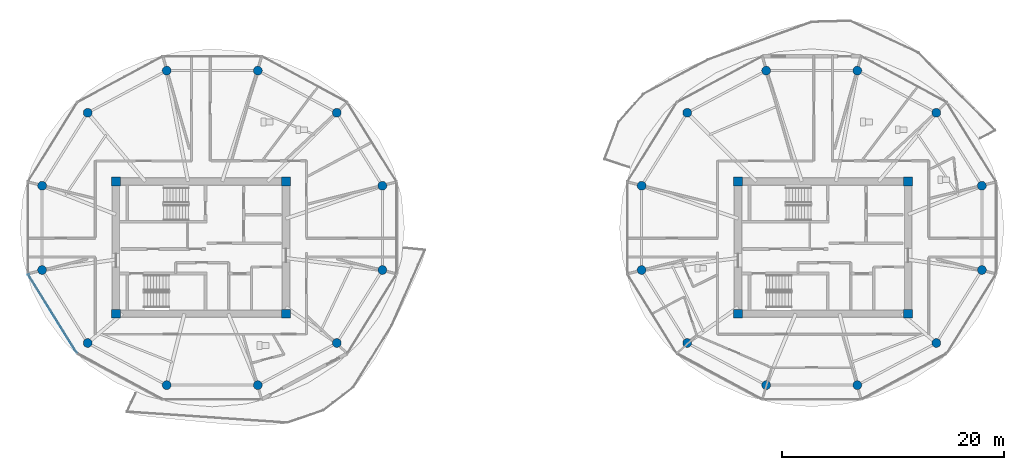
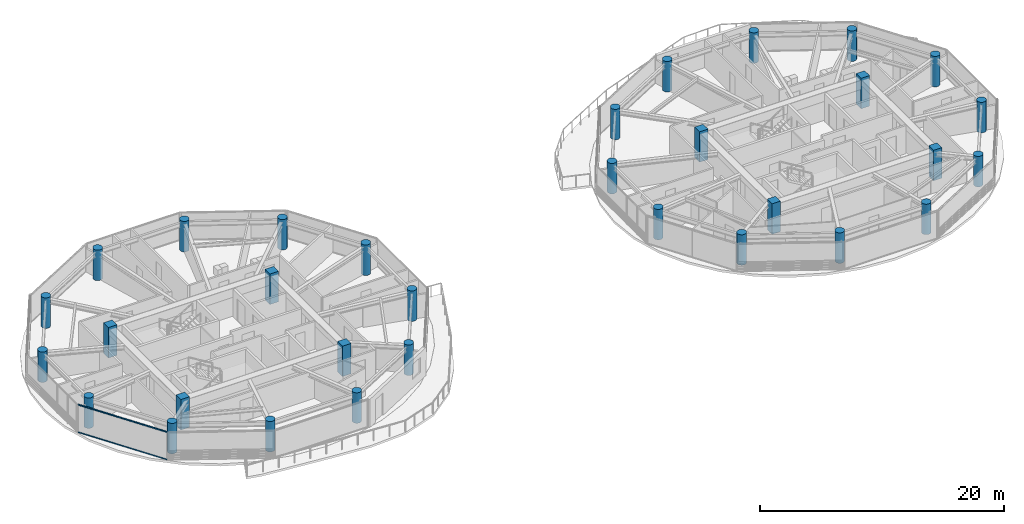
# One storey, part 1 of 23: 32 columns, 2 members, 1 element without a shape of its own.
"""IFC4 building model written with IfcOpenShell, lengths in metres."""

from ifc_helpers import new_model, si_unit, direction, frame, origin, origin_2d, place, context, subcontext, project, spatial, rectangle, circle, extrude, source, transform, mapped, material, layer, layer_set, material_profile, profile_set, type_object, type_shapes, element, aggregate, save


model = new_model("IFC4")

# Units and contexts
model_context = context("Model", 3, precision=1e-05, world=origin(), true_north=direction((0.0, 1.0)))
body_context = subcontext(model_context, "Body", "Model", "MODEL_VIEW")
ifc_project = project(units=[si_unit("LENGTHUNIT", "METRE"), si_unit("AREAUNIT", "SQUARE_METRE"), si_unit("VOLUMEUNIT", "CUBIC_METRE"), si_unit("PLANEANGLEUNIT", "RADIAN"), si_unit("MASSUNIT", "GRAM", prefix="KILO")], contexts=[model_context])

# Site, building, storey
site_placement = place(None, origin())
site = spatial("IfcSite", under=ifc_project, at=site_placement, CompositionType="ELEMENT")
building_placement = place(site_placement, origin())
building = spatial("IfcBuilding", under=site, at=building_placement, Name="Norrkilde Senior Care Towers", CompositionType="ELEMENT")
storey_placement = place(building_placement, frame((0.0, 0.0, 177.0)))
storey = spatial("IfcBuildingStorey", under=building, at=storey_placement, Name="L55", CompositionType="ELEMENT", Elevation=177.0)

# Columns
ifc_material_1 = material(Name="Concrete C60/75", Category="concrete")
ifc_material_profile_1 = material_profile(ifc_material_1, rectangle(XDim=0.800048828125, YDim=0.800048828125, at=origin_2d()), Name="RC COL 800x800")
ifc_profile_set_1 = profile_set([ifc_material_profile_1], Name="Concrete C60/75")
column_type_1 = type_object("IfcColumnType", Name="Column Core Corner Z3-Z4 800", PredefinedType="COLUMN", material=ifc_profile_set_1)
shared_shape_1 = source(origin(), body_context, "Body", "SweptSolid", [
    extrude(rectangle(XDim=0.800048828125, YDim=0.800048828125, at=origin_2d()), origin(), (0.0, 0.0, 1.0), 3.050048828125),
])
type_shapes(column_type_1, [shared_shape_1])
for number, where, z_axis, x_axis, name in (
    (1, (-35.64990234375, -5.949951171875, 0.0), (0.0, 0.0, 1.0), (1.0, 0.0, 0.0), "L55 Core W Corner Column 1"),
    (2, (-20.35009765625, -5.949951171875, 0.0), (0.0, 0.0, 1.0), (1.0, 0.0, 0.0), "L55 Core W Corner Column 2"),
    (3, (-20.35009765625, 5.949951171875, 0.0), (0.0, 0.0, 1.0), (1.0, 0.0, 0.0), "L55 Core W Corner Column 3"),
    (4, (-35.64990234375, 5.949951171875, 0.0), (0.0, 0.0, 1.0), (1.0, 0.0, 0.0), "L55 Core W Corner Column 4"),
    (5, (20.35009765625, -5.949951171875, 0.0), (0.0, 0.0, 1.0), (1.0, 0.0, 0.0), "L55 Core E Corner Column 1"),
    (6, (35.64990234375, -5.949951171875, 0.0), (0.0, 0.0, 1.0), (1.0, 0.0, 0.0), "L55 Core E Corner Column 2"),
    (7, (35.64990234375, 5.949951171875, 0.0), (0.0, 0.0, 1.0), (1.0, 0.0, 0.0), "L55 Core E Corner Column 3"),
    (8, (20.35009765625, 5.949951171875, 0.0), (0.0, 0.0, 1.0), (1.0, 0.0, 0.0), "L55 Core E Corner Column 4"),
):
    element("IfcColumn", number, at=place(storey_placement, frame(where, z_axis=z_axis, x_axis=x_axis)), inside=storey, type_object=column_type_1, Name=name, PredefinedType="COLUMN", context=body_context, shape_type="MappedRepresentation", body=[
        mapped(shared_shape_1, transform((0.0, 0.0, 0.0), x_axis=(1.0, 0.0, 0.0), y_axis=(0.0, 1.0, 0.0), z_axis=(0.0, 0.0, 1.0), scale=1.0)),
    ])
ifc_material_2 = material(Name="Concrete C50/60", Category="concrete")
ifc_material_profile_2 = material_profile(ifc_material_2, circle(Radius=0.39990234375, at=origin_2d()), Name="RC CIR 800")
ifc_profile_set_2 = profile_set([ifc_material_profile_2], Name="Concrete C50/60")
column_type_2 = type_object("IfcColumnType", Name="Column Perimeter Z3 800", PredefinedType="COLUMN", material=ifc_profile_set_2)
shared_shape_2 = source(origin(), body_context, "Body", "SweptSolid", [
    extrude(circle(Radius=0.39990234375, at=origin_2d()), origin(), (0.0, 0.0, 1.0), 3.050048828125),
])
type_shapes(column_type_2, [shared_shape_2])
for number, where, z_axis, x_axis, name in (
    (9, (-11.6650390625, 5.567138671875, 0.0), (0.0, 0.0, 1.0), (1.0, 0.0, 0.0), "L55 Drum W Perimeter Column 01"),
    (10, (-15.767333984375, 12.134521484375, 0.0), (0.0, 0.0, 1.0), (1.0, 0.0, 0.0), "L55 Drum W Perimeter Column 02"),
    (11, (-22.872802734375, 15.92626953125, 0.0), (0.0, 0.0, 1.0), (1.0, 0.0, 0.0), "L55 Drum W Perimeter Column 03"),
    (12, (-31.077392578125, 15.92626953125, 0.0), (0.0, 0.0, 1.0), (1.0, 0.0, 0.0), "L55 Drum W Perimeter Column 04"),
    (13, (-38.1826171875, 12.134521484375, 0.0), (0.0, 0.0, 1.0), (1.0, 0.0, 0.0), "L55 Drum W Perimeter Column 05"),
    (14, (-42.284912109375, 5.567138671875, 0.0), (0.0, 0.0, 1.0), (1.0, 0.0, 0.0), "L55 Drum W Perimeter Column 06"),
    (15, (-42.284912109375, -2.016357421875, 0.0), (0.0, 0.0, 1.0), (1.0, 0.0, 0.0), "L55 Drum W Perimeter Column 07"),
    (16, (-38.1826171875, -8.583740234375, 0.0), (0.0, 0.0, 1.0), (1.0, 0.0, 0.0), "L55 Drum W Perimeter Column 08"),
    (17, (-31.077392578125, -12.37548828125, 0.0), (0.0, 0.0, 1.0), (1.0, 0.0, 0.0), "L55 Drum W Perimeter Column 09"),
    (18, (-22.872802734375, -12.37548828125, 0.0), (0.0, 0.0, 1.0), (1.0, 0.0, 0.0), "L55 Drum W Perimeter Column 10"),
    (19, (-15.767333984375, -8.583740234375, 0.0), (0.0, 0.0, 1.0), (1.0, 0.0, 0.0), "L55 Drum W Perimeter Column 11"),
    (20, (-11.6650390625, -2.016357421875, 0.0), (0.0, 0.0, 1.0), (1.0, 0.0, 0.0), "L55 Drum W Perimeter Column 12"),
    (21, (42.284912109375, 5.567138671875, 0.0), (0.0, 0.0, 1.0), (1.0, 0.0, 0.0), "L55 Drum E Perimeter Column 01"),
    (22, (38.1826171875, 12.134521484375, 0.0), (0.0, 0.0, 1.0), (1.0, 0.0, 0.0), "L55 Drum E Perimeter Column 02"),
    (23, (31.077392578125, 15.92626953125, 0.0), (0.0, 0.0, 1.0), (1.0, 0.0, 0.0), "L55 Drum E Perimeter Column 03"),
    (24, (22.872802734375, 15.92626953125, 0.0), (0.0, 0.0, 1.0), (1.0, 0.0, 0.0), "L55 Drum E Perimeter Column 04"),
    (25, (15.767333984375, 12.134521484375, 0.0), (0.0, 0.0, 1.0), (1.0, 0.0, 0.0), "L55 Drum E Perimeter Column 05"),
    (26, (11.6650390625, 5.567138671875, 0.0), (0.0, 0.0, 1.0), (1.0, 0.0, 0.0), "L55 Drum E Perimeter Column 06"),
    (27, (11.6650390625, -2.016357421875, 0.0), (0.0, 0.0, 1.0), (1.0, 0.0, 0.0), "L55 Drum E Perimeter Column 07"),
    (28, (15.767333984375, -8.583740234375, 0.0), (0.0, 0.0, 1.0), (1.0, 0.0, 0.0), "L55 Drum E Perimeter Column 08"),
    (29, (22.872802734375, -12.37548828125, 0.0), (0.0, 0.0, 1.0), (1.0, 0.0, 0.0), "L55 Drum E Perimeter Column 09"),
    (30, (31.077392578125, -12.37548828125, 0.0), (0.0, 0.0, 1.0), (1.0, 0.0, 0.0), "L55 Drum E Perimeter Column 10"),
    (31, (38.1826171875, -8.583740234375, 0.0), (0.0, 0.0, 1.0), (1.0, 0.0, 0.0), "L55 Drum E Perimeter Column 11"),
    (32, (42.284912109375, -2.016357421875, 0.0), (0.0, 0.0, 1.0), (1.0, 0.0, 0.0), "L55 Drum E Perimeter Column 12"),
):
    element("IfcColumn", number, at=place(storey_placement, frame(where, z_axis=z_axis, x_axis=x_axis)), inside=storey, type_object=column_type_2, Name=name, PredefinedType="COLUMN", context=body_context, shape_type="MappedRepresentation", body=[
        mapped(shared_shape_2, transform((0.0, 0.0, 0.0), x_axis=(1.0, 0.0, 0.0), y_axis=(0.0, 1.0, 0.0), z_axis=(0.0, 0.0, 1.0), scale=1.0)),
    ])

# Curtain wall, members
ifc_material_3 = material(Name="Triple Low-E Insulated Glazing", Category="glass")
ifc_layer = layer(ifc_material_3, 0.18994140625)
ifc_layer_set = layer_set([ifc_layer], Name="Triple Low-E Insulated Glazing")
curtain_wall_type = type_object("IfcCurtainWallType", Name="CW4 Zone 3 Senior Residence Curtain Wall", PredefinedType="NOTDEFINED", material=ifc_layer_set)
curtain_wall_placement = place(storey_placement, origin())
curtain_wall = element("IfcCurtainWall", 33, at=curtain_wall_placement, inside=storey, type_object=curtain_wall_type, Name="L55 Drum W Curtain Wall 06", PredefinedType="NOTDEFINED")
ifc_material_4 = material(Name="Anodised Aluminium", Category="aluminium")
ifc_material_profile_3 = material_profile(ifc_material_4, rectangle(XDim=0.06005859375, YDim=0.1201171875, at=origin_2d()), Name="ALU TRAN 60x120")
ifc_profile_set_3 = profile_set([ifc_material_profile_3], Name="Anodised Aluminium")
member_type = type_object("IfcMemberType", Name="Curtain Wall Transom Typical 60x120", PredefinedType="USERDEFINED", material=ifc_profile_set_3)
shared_shape_3 = source(origin(), body_context, "Body", "SweptSolid", [
    extrude(rectangle(XDim=0.06005859375, YDim=0.1201171875, at=origin_2d()), origin(), (0.0, 0.0, 1.0), 8.301513671875),
])
type_shapes(member_type, [shared_shape_3])
member_1_placement = place(storey_placement, frame((-39.157470703125, -9.468994140625, 0.030029296875), z_axis=(-0.527368718394, 0.849636531029, 0.0), x_axis=(-0.849636531029, -0.527368718394, 0.0)))
member_1 = element("IfcMember", 34, at=member_1_placement, type_object=member_type, Name="CW-4 transom 1.1", ObjectType="TRANSOM", PredefinedType="USERDEFINED", context=body_context, shape_type="MappedRepresentation", body=[
    mapped(shared_shape_3, transform((0.0, 0.0, 0.0), x_axis=(1.0, 0.0, 0.0), y_axis=(0.0, 1.0, 0.0), z_axis=(0.0, 0.0, 1.0), scale=1.0)),
])
member_2_placement = place(storey_placement, frame((-39.157470703125, -9.468994140625, 2.780029296875), z_axis=(-0.527368718394, 0.849636531029, 0.0), x_axis=(-0.849636531029, -0.527368718394, 0.0)))
member_2 = element("IfcMember", 35, at=member_2_placement, type_object=member_type, Name="CW-4 transom 1.2", ObjectType="TRANSOM", PredefinedType="USERDEFINED", context=body_context, shape_type="MappedRepresentation", body=[
    mapped(shared_shape_3, transform((0.0, 0.0, 0.0), x_axis=(1.0, 0.0, 0.0), y_axis=(0.0, 1.0, 0.0), z_axis=(0.0, 0.0, 1.0), scale=1.0)),
])
aggregate(curtain_wall, [member_1, member_2])

save(model, "model.ifc")
